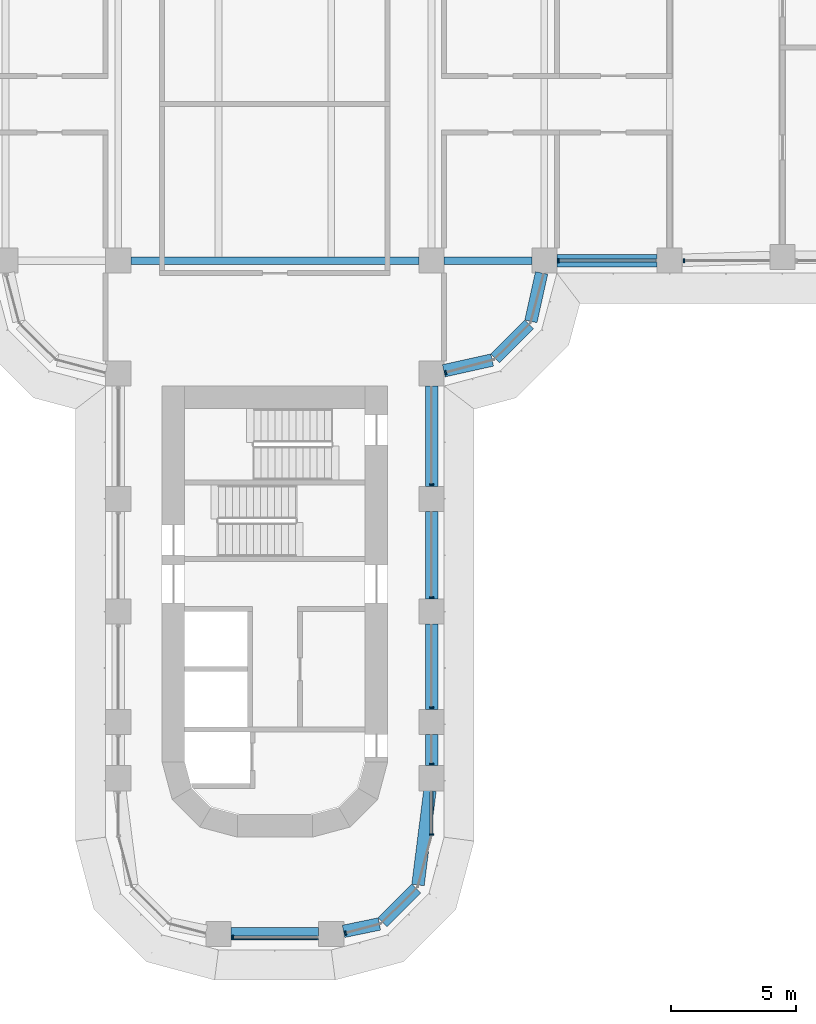
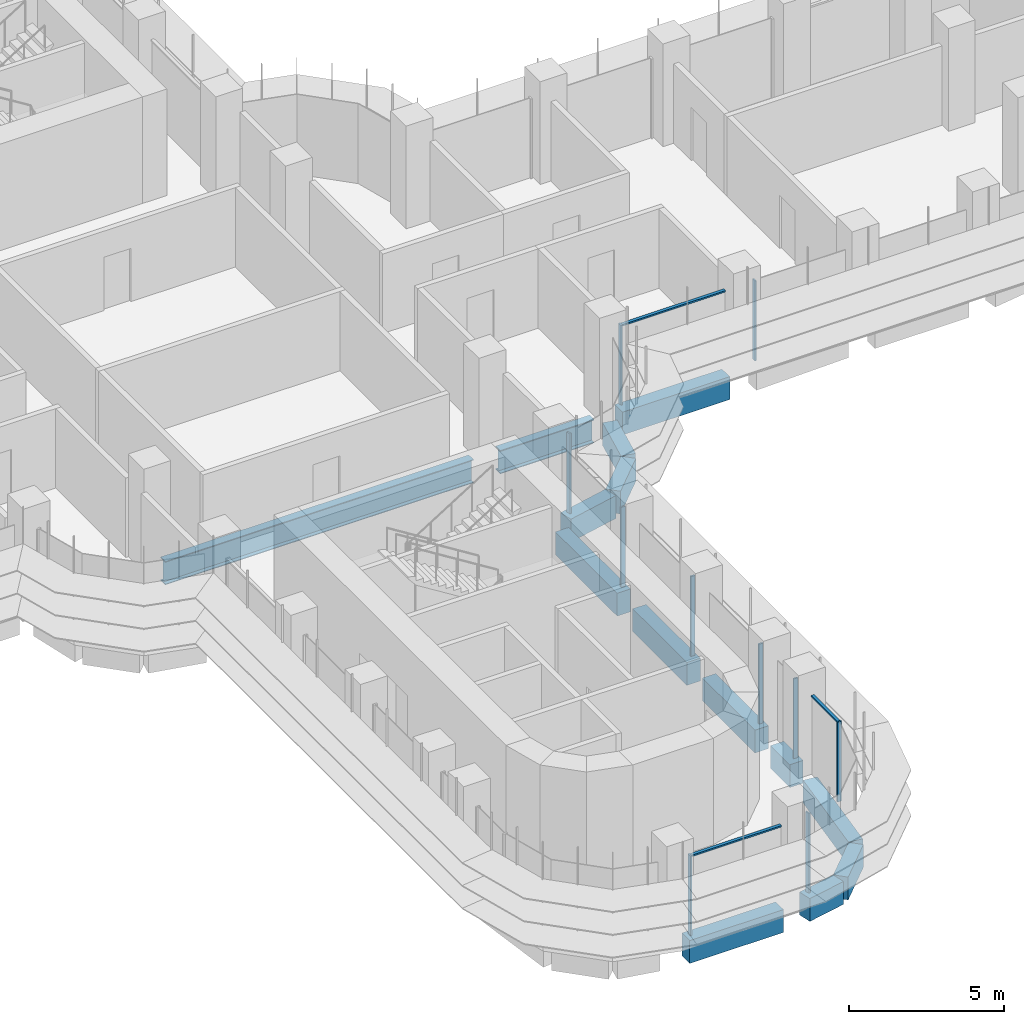
# One storey, part 4 of 23: 14 beams, 13 members, 5 elements without a shape of their own.
"""IFC4 building model written with IfcOpenShell, lengths in metres."""

import ifcopenshell
import ifcopenshell.guid

model = None  # the IFC model being written
_history = None  # IfcOwnerHistory: only IFC2X3 demands one
_inside = {}  # id of a spatial element -> (the spatial element, [elements in it])
_under = {}  # id of a project, library or spatial element -> (it, [spatial elements below it])
_declared = {}  # id of a project -> (the project, [libraries it declares])
_typed = {}  # id of a type object -> (the type object, [elements of that type])
_made_of = {}  # id of a material, layer set ... -> (it, [elements and type objects made of it])


def new_model(schema):
    """Start an empty IFC model of exactly this schema.

    Asked for "IFC4X3", IfcOpenShell would pick the latest addendum, in which some entities
    have other attributes; the version numbers below select the first issue.
    IFC2X3 requires an IfcOwnerHistory on every rooted entity: one is made here for all.
    """
    global model, _history
    if schema == "IFC4X3":
        model = ifcopenshell.file(schema_version=(4, 3, 0, 0))
    else:
        model = ifcopenshell.file(schema=schema)
    _inside.clear()
    _under.clear()
    _declared.clear()
    _typed.clear()
    _made_of.clear()
    _history = None
    if model.schema == "IFC2X3":
        org = make("IfcOrganization", Name="unknown")
        user = make(
            "IfcPersonAndOrganization",
            ThePerson=make("IfcPerson", FamilyName="unknown"),
            TheOrganization=org,
        )
        app = make(
            "IfcApplication",
            ApplicationDeveloper=org,
            Version="unknown",
            ApplicationFullName="unknown",
            ApplicationIdentifier="unknown",
        )
        _history = make(
            "IfcOwnerHistory",
            OwningUser=user,
            OwningApplication=app,
            ChangeAction="ADDED",
            CreationDate=0,
        )
    return model


def make(cls, **values):
    """One entity of the class cls with the attributes given. An attribute that is None is left unset."""
    return model.create_entity(
        cls, **{name: value for name, value in values.items() if value is not None}
    )


def rooted(cls, **values):
    """An entity with a GlobalId (a new one), such as an element, a storey or a relation."""
    return make(cls, GlobalId=ifcopenshell.guid.new(), OwnerHistory=_history, **values)


def si_unit(unit_type, name, prefix=None):
    """IfcSIUnit, for example si_unit("LENGTHUNIT", "METRE", prefix="MILLI")."""
    return make("IfcSIUnit", UnitType=unit_type, Prefix=prefix, Name=name)


def assignment(units):
    """IfcUnitAssignment: the units of a project."""
    return None if units is None else make("IfcUnitAssignment", Units=units)


def point(xyz):
    """IfcCartesianPoint."""
    return None if xyz is None else make("IfcCartesianPoint", Coordinates=xyz)


def direction(xyz):
    """IfcDirection."""
    return None if xyz is None else make("IfcDirection", DirectionRatios=xyz)


def frame(location, z_axis=None, x_axis=None):
    """IfcAxis2Placement3D, a coordinate frame: its origin and axes. An axis left out is left unset."""
    return make(
        "IfcAxis2Placement3D",
        Location=point(location),
        Axis=direction(z_axis),
        RefDirection=direction(x_axis),
    )


def frame_2d(location, x_axis=None):
    """IfcAxis2Placement2D, a coordinate frame in the plane: its origin and x axis."""
    return make(
        "IfcAxis2Placement2D", Location=point(location), RefDirection=direction(x_axis)
    )


def origin():
    """The frame at (0, 0, 0) with its axes left unset."""
    return frame((0.0, 0.0, 0.0))


def origin_2d():
    """The frame at (0, 0) in the plane with its x axis left unset."""
    return frame_2d((0.0, 0.0))


def place(relative_to, where):
    """IfcLocalPlacement: puts the frame where relative to a parent placement (None: the world)."""
    return make(
        "IfcLocalPlacement", PlacementRelTo=relative_to, RelativePlacement=where
    )


def context(
    kind, dimensions, precision=None, world=None, true_north=None, identifier=None
):
    """IfcGeometricRepresentationContext, for example the 3D "Model" context."""
    return make(
        "IfcGeometricRepresentationContext",
        ContextIdentifier=identifier,
        ContextType=kind,
        CoordinateSpaceDimension=dimensions,
        Precision=precision,
        WorldCoordinateSystem=world,
        TrueNorth=true_north,
    )


def subcontext(parent, identifier, kind, view, scale=None):
    """IfcGeometricRepresentationSubContext, for example "Body" below "Model"."""
    return make(
        "IfcGeometricRepresentationSubContext",
        ContextIdentifier=identifier,
        ContextType=kind,
        ParentContext=parent,
        TargetScale=scale,
        TargetView=view,
    )


def project(units=None, contexts=None):
    """IfcProject with its units and contexts."""
    return rooted(
        "IfcProject",
        Name="project",
        RepresentationContexts=contexts,
        UnitsInContext=assignment(units),
    )


def spatial(cls, under=None, at=None, **own):
    """A site, building, storey or space (cls), placed at a placement, below another one or the project."""
    s = rooted(cls, ObjectPlacement=at, **own)
    if under is not None:
        _under.setdefault(under.id(), (under, []))[1].append(s)
    return s


def polyline(points):
    """IfcPolyline through the points."""
    return make("IfcPolyline", Points=[point(p) for p in points])


def profile(cls, at=None, kind="AREA", **sizes):
    """A parametric profile (cls). Its sizes go by their IFC names, for example OverallWidth=200.0."""
    return make(cls, ProfileType=kind, Position=at, **sizes)


def rectangle(**sizes):
    """IfcRectangleProfileDef."""
    return profile("IfcRectangleProfileDef", **sizes)


def i_section(**sizes):
    """IfcIShapeProfileDef."""
    return profile("IfcIShapeProfileDef", **sizes)


def outline(outer, holes=None, kind="AREA"):
    """IfcArbitraryClosedProfileDef: a profile drawn as a closed curve; with holes, ...WithVoids."""
    if holes is None:
        return make("IfcArbitraryClosedProfileDef", ProfileType=kind, OuterCurve=outer)
    return make(
        "IfcArbitraryProfileDefWithVoids",
        ProfileType=kind,
        OuterCurve=outer,
        InnerCurves=holes,
    )


def extrude(swept, where, along, depth):
    """IfcExtrudedAreaSolid: the profile swept, set in the frame where, extruded along a direction by depth."""
    return make(
        "IfcExtrudedAreaSolid",
        SweptArea=swept,
        Position=where,
        ExtrudedDirection=direction(along),
        Depth=depth,
    )


def shape(context_of_items, identifier, shape_type, items):
    """IfcShapeRepresentation: the items that make up one representation, for example the "Body"."""
    return make(
        "IfcShapeRepresentation",
        ContextOfItems=context_of_items,
        RepresentationIdentifier=identifier,
        RepresentationType=shape_type,
        Items=items,
    )


def source(mapping_origin, context_of_items, identifier, shape_type, items):
    """IfcRepresentationMap: a shape defined once, which mapped items show again and again."""
    return make(
        "IfcRepresentationMap",
        MappingOrigin=mapping_origin,
        MappedRepresentation=shape(context_of_items, identifier, shape_type, items),
    )


def transform(
    local_origin,
    x_axis=None,
    y_axis=None,
    z_axis=None,
    scale=None,
    scale2=None,
    scale3=None,
    uniform=True,
):
    """IfcCartesianTransformationOperator3D, or its non-uniform kind. x_axis, y_axis, z_axis: its Axis1, 2, 3."""
    if uniform:
        return make(
            "IfcCartesianTransformationOperator3D",
            Axis1=direction(x_axis),
            Axis2=direction(y_axis),
            LocalOrigin=point(local_origin),
            Scale=scale,
            Axis3=direction(z_axis),
        )
    return make(
        "IfcCartesianTransformationOperator3DnonUniform",
        Axis1=direction(x_axis),
        Axis2=direction(y_axis),
        LocalOrigin=point(local_origin),
        Scale=scale,
        Axis3=direction(z_axis),
        Scale2=scale2,
        Scale3=scale3,
    )


def mapped(mapping_source, mapping_target):
    """IfcMappedItem: shows the shape of a source again, moved by a transform."""
    return make(
        "IfcMappedItem", MappingSource=mapping_source, MappingTarget=mapping_target
    )


def material(Name=None, Category=None):
    """IfcMaterial."""
    return make("IfcMaterial", Name=Name, Category=Category)


def material_profile(
    of_material, cross_section, Name=None, Category=None, Priority=None
):
    """IfcMaterialProfile: a cross section and its material."""
    return make(
        "IfcMaterialProfile",
        Name=Name,
        Material=of_material,
        Profile=cross_section,
        Priority=Priority,
        Category=Category,
    )


def profile_set(profiles, Name=None, composite=None):
    """IfcMaterialProfileSet."""
    return make(
        "IfcMaterialProfileSet",
        Name=Name,
        MaterialProfiles=profiles,
        CompositeProfile=composite,
    )


def made_of(thing, what):
    """Note that an element or type object is made of a material, layer set ...; save() writes the relation."""
    if what is not None:
        _made_of.setdefault(what.id(), (what, []))[1].append(thing)
    return thing


def type_object(cls, material=None, **own):
    """A type object (cls), such as IfcWallType, which elements share."""
    return made_of(rooted(cls, **own), material)


def element(
    cls,
    number,
    at=None,
    inside=None,
    cuts=None,
    type_object=None,
    material=None,
    context=None,
    identifier="Body",
    shape_type=None,
    held_by="IfcProductDefinitionShape",
    body=None,
    shapes=None,
    **own,
):
    """One element of the class cls, such as IfcWall. Its Tag is "e" and its number.

    at: its placement. inside: the storey or other place that contains it. cuts: it is an
    opening in that element (IfcRelVoidsElement). A single representation is given by context,
    identifier, shape_type and body (its items); several are given by shapes. held_by: the class
    of the entity that holds the representations. save() writes the other relations.
    """
    e = rooted(cls, Tag="e%d" % number, ObjectPlacement=at, **own)
    if body is not None:
        shapes = [shape(context, identifier, shape_type, body)]
    if shapes is not None:
        e.Representation = make(held_by, Representations=shapes)
    if inside is not None:
        _inside.setdefault(inside.id(), (inside, []))[1].append(e)
    if cuts is not None:
        rooted(
            "IfcRelVoidsElement", RelatingBuildingElement=cuts, RelatedOpeningElement=e
        )
    if type_object is not None:
        _typed.setdefault(type_object.id(), (type_object, []))[1].append(e)
    return made_of(e, material)


def aggregate(whole, parts):
    """IfcRelAggregates: a whole, such as a stair, and the parts it consists of."""
    return rooted("IfcRelAggregates", RelatingObject=whole, RelatedObjects=parts)


def save(model, path):
    """Write the relations noted so far, then the file.

    IfcRelAggregates (storeys below a building ...), IfcRelContainedInSpatialStructure (elements
    in a storey), IfcRelDefinesByType, IfcRelAssociatesMaterial and IfcRelDeclares: one each for
    every whole, place, type object, material and project.
    """
    for whole, parts in _under.values():
        aggregate(whole, parts)
    for where, things in _inside.values():
        rooted(
            "IfcRelContainedInSpatialStructure",
            RelatedElements=things,
            RelatingStructure=where,
        )
    for kind, things in _typed.values():
        rooted("IfcRelDefinesByType", RelatedObjects=things, RelatingType=kind)
    for what, things in _made_of.values():
        rooted("IfcRelAssociatesMaterial", RelatedObjects=things, RelatingMaterial=what)
    for by, libraries in _declared.values():
        rooted("IfcRelDeclares", RelatingContext=by, RelatedDefinitions=libraries)
    model.write(path)


model = new_model("IFC4")

# Units and contexts
model_context = context("Model", 3, precision=1e-05, world=origin(), true_north=direction((0.0, 1.0)))
body_context = subcontext(model_context, "Body", "Model", "MODEL_VIEW")
ifc_project = project(units=[si_unit("LENGTHUNIT", "METRE"), si_unit("AREAUNIT", "SQUARE_METRE"), si_unit("VOLUMEUNIT", "CUBIC_METRE"), si_unit("PLANEANGLEUNIT", "RADIAN"), si_unit("MASSUNIT", "GRAM", prefix="KILO")], contexts=[model_context])

# Site, building, storey
site_placement = place(None, origin())
site = spatial("IfcSite", under=ifc_project, at=site_placement, CompositionType="ELEMENT")
building_placement = place(site_placement, origin())
building = spatial("IfcBuilding", under=site, at=building_placement, Name="Zarbagh Exchange Tower", CompositionType="ELEMENT")
storey_placement = place(building_placement, frame((0.0, 0.0, 52.199951171875)))
storey = spatial("IfcBuildingStorey", under=building, at=storey_placement, Name="L11", CompositionType="ELEMENT", Elevation=52.199951171875)

# Beams
ifc_material_1 = material(Name="Steel ASTM A992 Gr 50", Category="steel")
ifc_material_profile_1 = material_profile(ifc_material_1, i_section(OverallWidth=0.3046875, OverallDepth=0.91943359375, WebThickness=0.017333984375, FlangeThickness=0.02783203125, at=origin_2d()), Name="W36X170")
ifc_profile_set_1 = profile_set([ifc_material_profile_1], Name="Steel ASTM A992 Gr 50")
beam_type_1 = type_object("IfcBeamType", Name="Floor girder W36X170", PredefinedType="BEAM", material=ifc_profile_set_1)
beam_1_placement = place(storey_placement, frame((-5.75, -6.25, -0.609619140625), z_axis=(1.0, 0.0, 0.0), x_axis=(0.0, 1.0, 0.0)))
element("IfcBeam", 1, at=beam_1_placement, inside=storey, type_object=beam_type_1, Name="Steel girder", PredefinedType="BEAM", context=body_context, shape_type="SweptSolid", body=[
    extrude(i_section(OverallWidth=0.3046875, OverallDepth=0.91943359375, WebThickness=0.017333984375, FlangeThickness=0.02783203125, at=origin_2d()), origin(), (0.0, 0.0, 1.0), 11.5),
])
beam_2_placement = place(storey_placement, frame((6.75, -6.25, -0.609619140625), z_axis=(1.0, 0.0, 0.0), x_axis=(0.0, 1.0, 0.0)))
element("IfcBeam", 2, at=beam_2_placement, inside=storey, type_object=beam_type_1, Name="Steel girder", PredefinedType="BEAM", context=body_context, shape_type="SweptSolid", body=[
    extrude(i_section(OverallWidth=0.3046875, OverallDepth=0.91943359375, WebThickness=0.017333984375, FlangeThickness=0.02783203125, at=origin_2d()), origin(), (0.0, 0.0, 1.0), 3.5),
])
ifc_material_2 = material(Name="Concrete C60/75", Category="concrete")
ifc_material_profile_2 = material_profile(ifc_material_2, rectangle(XDim=0.5, YDim=0.89990234375, at=origin_2d()), Name="RC spandrel beam 500 x 900 C60/75")
ifc_profile_set_2 = profile_set([ifc_material_profile_2], Name="Concrete C60/75")
beam_type_2 = type_object("IfcBeamType", Name="RC spandrel beam 500 x 900 C60/75", PredefinedType="SPANDREL", material=ifc_profile_set_2)
beam_3_placement = place(storey_placement, frame((15.25, -6.25, -0.599853515625), z_axis=(-1.0, 0.0, 0.0), x_axis=(0.0, -1.0, 0.0)))
element("IfcBeam", 3, at=beam_3_placement, inside=storey, type_object=beam_type_2, Name="RC spandrel beam", PredefinedType="SPANDREL", context=body_context, shape_type="SweptSolid", body=[
    extrude(rectangle(XDim=0.5, YDim=0.89990234375, at=origin_2d()), origin(), (0.0, 0.0, 1.0), 4.0),
])
beam_4_placement = place(storey_placement, frame((10.64208984375, -6.73828125, -0.599853515625), z_axis=(-0.216081063242, -0.976375426825, 0.0), x_axis=(0.976375426825, -0.216081063242, 0.0)))
element("IfcBeam", 4, at=beam_4_placement, inside=storey, type_object=beam_type_2, Name="RC spandrel beam", PredefinedType="SPANDREL", context=body_context, shape_type="SweptSolid", body=[
    extrude(rectangle(XDim=0.5, YDim=0.89990234375, at=origin_2d()), origin(), (0.0, 0.0, 1.0), 1.978271484375),
])
beam_5_placement = place(storey_placement, frame((10.147216796875, -8.792724609375, -0.599853515625), z_axis=(-0.707106781187, -0.707106781187, 0.0), x_axis=(0.707106781187, -0.707106781187, 0.0)))
element("IfcBeam", 5, at=beam_5_placement, inside=storey, type_object=beam_type_2, Name="RC spandrel beam", PredefinedType="SPANDREL", context=body_context, shape_type="SweptSolid", body=[
    extrude(rectangle(XDim=0.5, YDim=0.89990234375, at=origin_2d()), origin(), (0.0, 0.0, 1.0), 1.91552734375),
])
beam_6_placement = place(storey_placement, frame((8.669921875, -10.214599609375, -0.599853515625), z_axis=(-0.976375426825, -0.216081063242, 0.0), x_axis=(0.216081063242, -0.976375426825, 0.0)))
element("IfcBeam", 6, at=beam_6_placement, inside=storey, type_object=beam_type_2, Name="RC spandrel beam", PredefinedType="SPANDREL", context=body_context, shape_type="SweptSolid", body=[
    extrude(rectangle(XDim=0.5, YDim=0.89990234375, at=origin_2d()), origin(), (0.0, 0.0, 1.0), 1.978271484375),
])
beam_7_placement = place(storey_placement, frame((6.25, -11.25, -0.599853515625), z_axis=(0.0, -1.0, 0.0), x_axis=(1.0, 0.0, 0.0)))
element("IfcBeam", 7, at=beam_7_placement, inside=storey, type_object=beam_type_2, Name="RC spandrel beam", PredefinedType="SPANDREL", context=body_context, shape_type="SweptSolid", body=[
    extrude(rectangle(XDim=0.5, YDim=0.89990234375, at=origin_2d()), origin(), (0.0, 0.0, 1.0), 4.0),
])
beam_8_placement = place(storey_placement, frame((6.25, -16.25, -0.599853515625), z_axis=(0.0, -1.0, 0.0), x_axis=(1.0, 0.0, 0.0)))
element("IfcBeam", 8, at=beam_8_placement, inside=storey, type_object=beam_type_2, Name="RC spandrel beam", PredefinedType="SPANDREL", context=body_context, shape_type="SweptSolid", body=[
    extrude(rectangle(XDim=0.5, YDim=0.89990234375, at=origin_2d()), origin(), (0.0, 0.0, 1.0), 3.5),
])
beam_9_placement = place(storey_placement, frame((6.25, -20.75, -0.599853515625), z_axis=(0.0, -1.0, 0.0), x_axis=(1.0, 0.0, 0.0)))
element("IfcBeam", 9, at=beam_9_placement, inside=storey, type_object=beam_type_2, Name="RC spandrel beam", PredefinedType="SPANDREL", context=body_context, shape_type="SweptSolid", body=[
    extrude(rectangle(XDim=0.5, YDim=0.89990234375, at=origin_2d()), origin(), (0.0, 0.0, 1.0), 3.39990234375),
])
beam_10_placement = place(storey_placement, frame((6.25, -25.14990234375, -0.599853515625), z_axis=(0.0, -1.0, 0.0), x_axis=(1.0, 0.0, 0.0)))
element("IfcBeam", 10, at=beam_10_placement, inside=storey, type_object=beam_type_2, Name="RC spandrel beam", PredefinedType="SPANDREL", context=body_context, shape_type="SweptSolid", body=[
    extrude(rectangle(XDim=0.5, YDim=0.89990234375, at=origin_2d()), origin(), (0.0, 0.0, 1.0), 1.25),
])
beam_11_placement = place(storey_placement, frame((6.18701171875, -27.39599609375, -0.599853515625), z_axis=(-0.12591317752, -0.992041265133, 0.0), x_axis=(0.992041265133, -0.12591317752, 0.0)))
element("IfcBeam", 11, at=beam_11_placement, inside=storey, type_object=beam_type_2, Name="RC spandrel beam", PredefinedType="SPANDREL", context=body_context, shape_type="SweptSolid", body=[
    extrude(rectangle(XDim=0.5, YDim=0.89990234375, at=origin_2d()), origin(), (0.0, 0.0, 1.0), 3.790771484375),
])
beam_12_placement = place(storey_placement, frame((5.638427734375, -31.301513671875, -0.599853515625), z_axis=(-0.707042571718, -0.707170984825, 0.0), x_axis=(0.707170984825, -0.707042571718, 0.0)))
element("IfcBeam", 12, at=beam_12_placement, inside=storey, type_object=beam_type_2, Name="RC spandrel beam", PredefinedType="SPANDREL", context=body_context, shape_type="SweptSolid", body=[
    extrude(rectangle(XDim=0.5, YDim=0.89990234375, at=origin_2d()), origin(), (0.0, 0.0, 1.0), 1.901123046875),
])
beam_13_placement = place(storey_placement, frame((4.16796875, -32.714111328125, -0.599853515625), z_axis=(-0.9793713725, -0.202068589164, 0.0), x_axis=(0.202068589164, -0.9793713725, 0.0)))
element("IfcBeam", 13, at=beam_13_placement, inside=storey, type_object=beam_type_2, Name="RC spandrel beam", PredefinedType="SPANDREL", context=body_context, shape_type="SweptSolid", body=[
    extrude(rectangle(XDim=0.5, YDim=0.89990234375, at=origin_2d()), origin(), (0.0, 0.0, 1.0), 1.458251953125),
])
beam_14_placement = place(storey_placement, frame((1.75, -33.110107421875, -0.599853515625), z_axis=(-1.0, 0.0, 0.0), x_axis=(0.0, -1.0, 0.0)))
element("IfcBeam", 14, at=beam_14_placement, inside=storey, type_object=beam_type_2, Name="RC spandrel beam", PredefinedType="SPANDREL", context=body_context, shape_type="SweptSolid", body=[
    extrude(rectangle(XDim=0.5, YDim=0.89990234375, at=origin_2d()), origin(), (0.0, 0.0, 1.0), 3.5),
])

# Curtain wall, member
ifc_material_3 = material(Name="Anodised aluminium frame and glazing", Category="aluminium")
curtain_wall_type = type_object("IfcCurtainWallType", Name="CWA Ribbon glazing, lower zones", PredefinedType="NOTDEFINED", material=ifc_material_3)
curtain_wall_1_placement = place(storey_placement, origin())
curtain_wall_1 = element("IfcCurtainWall", 15, at=curtain_wall_1_placement, inside=storey, type_object=curtain_wall_type, Name="CWA01 curtain wall", PredefinedType="NOTDEFINED")
ifc_material_4 = material(Name="Anodised aluminium frame", Category="aluminium")
member_type_1 = type_object("IfcMemberType", Name="MUA Mullion, anodised aluminium frame", PredefinedType="MULLION", material=ifc_material_4)
shared_shape_1 = source(origin(), body_context, "Body", "SweptSolid", [
    extrude(outline(polyline([(0.0, -0.080078125), (0.06005859375, -0.080078125), (0.06005859375, 0.080078125), (0.0, 0.080078125), (0.0, -0.080078125)])), origin(), (0.0, 0.0, 1.0), 3.14990234375),
])
placement = place(storey_placement, origin())
member_1 = element("IfcMember", 16, at=placement, type_object=member_type_1, Name="CWA01 mullion 1.1", PredefinedType="MULLION", context=body_context, shape_type="MappedRepresentation", body=[
    mapped(shared_shape_1, transform((2.7900390625, -33.087646484375, 0.0), x_axis=(0.965924289636, 0.258824779902, 0.0), y_axis=(-0.258824779902, 0.965924289636, 0.0), z_axis=(0.0, 0.0, 1.0))),
])
aggregate(curtain_wall_1, [member_1])

# Curtain wall, members
curtain_wall_2_placement = place(storey_placement, origin())
curtain_wall_2 = element("IfcCurtainWall", 17, at=curtain_wall_2_placement, inside=storey, type_object=curtain_wall_type, Name="CWA04 curtain wall", PredefinedType="NOTDEFINED")
member_2 = element("IfcMember", 18, at=placement, type_object=member_type_1, Name="CWA04 mullion 1.1", PredefinedType="MULLION", context=body_context, shape_type="MappedRepresentation", body=[
    mapped(shared_shape_1, transform((6.25, -29.18408203125, 0.0), x_axis=(0.0, 1.0, 0.0), y_axis=(-1.0, 0.0, 0.0), z_axis=(0.0, 0.0, 1.0))),
])
member_3 = element("IfcMember", 19, at=placement, type_object=member_type_1, Name="CWA04 mullion 2.1", PredefinedType="MULLION", context=body_context, shape_type="MappedRepresentation", body=[
    mapped(shared_shape_1, transform((6.25, -26.35986328125, 0.0), x_axis=(0.0, 1.0, 0.0), y_axis=(-1.0, 0.0, 0.0), z_axis=(0.0, 0.0, 1.0))),
])
member_4 = element("IfcMember", 20, at=placement, type_object=member_type_1, Name="CWA04 mullion 3.1", PredefinedType="MULLION", context=body_context, shape_type="MappedRepresentation", body=[
    mapped(shared_shape_1, transform((6.25, -24.10986328125, 0.0), x_axis=(0.0, 1.0, 0.0), y_axis=(-1.0, 0.0, 0.0), z_axis=(0.0, 0.0, 1.0))),
])
member_5 = element("IfcMember", 21, at=placement, type_object=member_type_1, Name="CWA04 mullion 4.1", PredefinedType="MULLION", context=body_context, shape_type="MappedRepresentation", body=[
    mapped(shared_shape_1, transform((6.25, -19.7099609375, 0.0), x_axis=(0.0, 1.0, 0.0), y_axis=(-1.0, 0.0, 0.0), z_axis=(0.0, 0.0, 1.0))),
])
member_6 = element("IfcMember", 22, at=placement, type_object=member_type_1, Name="CWA04 mullion 5.1", PredefinedType="MULLION", context=body_context, shape_type="MappedRepresentation", body=[
    mapped(shared_shape_1, transform((6.25, -15.2099609375, 0.0), x_axis=(0.0, 1.0, 0.0), y_axis=(-1.0, 0.0, 0.0), z_axis=(0.0, 0.0, 1.0))),
])

# Curtain wall, member
curtain_wall_3_placement = place(storey_placement, origin())
curtain_wall_3 = element("IfcCurtainWall", 23, at=curtain_wall_3_placement, inside=storey, type_object=curtain_wall_type, Name="CWA05 curtain wall", PredefinedType="NOTDEFINED")
member_7 = element("IfcMember", 24, at=placement, type_object=member_type_1, Name="CWA05 mullion 1.1", PredefinedType="MULLION", context=body_context, shape_type="MappedRepresentation", body=[
    mapped(shared_shape_1, transform((6.7900390625, -10.7216796875, 0.0), x_axis=(0.965924289636, 0.258824779902, 0.0), y_axis=(-0.258824779902, 0.965924289636, 0.0), z_axis=(0.0, 0.0, 1.0))),
])
aggregate(curtain_wall_3, [member_7])

# Curtain wall, members
curtain_wall_4_placement = place(storey_placement, origin())
curtain_wall_4 = element("IfcCurtainWall", 25, at=curtain_wall_4_placement, inside=storey, type_object=curtain_wall_type, Name="CWA08 curtain wall", PredefinedType="NOTDEFINED")
member_8 = element("IfcMember", 26, at=placement, type_object=member_type_1, Name="CWA08 mullion 1.1", PredefinedType="MULLION", context=body_context, shape_type="MappedRepresentation", body=[
    mapped(shared_shape_1, transform((11.2900390625, -6.25, 0.0), x_axis=(1.0, 0.0, 0.0), y_axis=(0.0, 1.0, 0.0), z_axis=(0.0, 0.0, 1.0))),
])
member_9 = element("IfcMember", 27, at=placement, type_object=member_type_1, Name="CWA08 mullion 2.1", PredefinedType="MULLION", context=body_context, shape_type="MappedRepresentation", body=[
    mapped(shared_shape_1, transform((16.2900390625, -6.25, 0.0), x_axis=(1.0, 0.0, 0.0), y_axis=(0.0, 1.0, 0.0), z_axis=(0.0, 0.0, 1.0))),
])

# Curtain wall, member
curtain_wall_5_placement = place(storey_placement, origin())
curtain_wall_5 = element("IfcCurtainWall", 28, at=curtain_wall_5_placement, inside=storey, type_object=curtain_wall_type, Name="CWA48 curtain wall", PredefinedType="NOTDEFINED")
member_10 = element("IfcMember", 29, at=placement, type_object=member_type_1, Name="CWA48 mullion 1.1", PredefinedType="MULLION", context=body_context, shape_type="MappedRepresentation", body=[
    mapped(shared_shape_1, transform((-1.7099609375, -33.25, 0.0), x_axis=(1.0, 0.0, 0.0), y_axis=(0.0, 1.0, 0.0), z_axis=(0.0, 0.0, 1.0))),
])

# Member
member_type_2 = type_object("IfcMemberType", Name="TRA Transom, anodised aluminium frame", PredefinedType="USERDEFINED", material=ifc_material_4)
shared_shape_2 = source(origin(), body_context, "Body", "SweptSolid", [
    extrude(outline(polyline([(-0.06005859375, -0.06005859375), (0.0, -0.06005859375), (0.0, 0.06005859375), (-0.06005859375, 0.06005859375), (-0.06005859375, -0.06005859375)])), origin(), (0.0, 0.0, 1.0), 1.68408203125),
])
member_11 = element("IfcMember", 30, at=placement, type_object=member_type_2, Name="CWA04 transom 1.1", ObjectType="TRANSOM", PredefinedType="USERDEFINED", context=body_context, shape_type="MappedRepresentation", body=[
    mapped(shared_shape_2, transform((6.25, -29.124267578125, 3.150146484375), x_axis=(0.0, 0.0, 1.0), y_axis=(1.0, 0.0, 0.0), z_axis=(0.0, 1.0, 0.0))),
])

aggregate(curtain_wall_2, [member_2, member_11, member_3, member_4, member_5, member_6])

shared_shape_3 = source(origin(), body_context, "Body", "SweptSolid", [
    extrude(outline(polyline([(-0.06005859375, -0.06005859375), (0.0, -0.06005859375), (0.0, 0.06005859375), (-0.06005859375, 0.06005859375), (-0.06005859375, -0.06005859375)])), origin(), (0.0, 0.0, 1.0), 3.860107421875),
])
member_12 = element("IfcMember", 31, at=placement, type_object=member_type_2, Name="CWA08 transom 1.1", ObjectType="TRANSOM", PredefinedType="USERDEFINED", context=body_context, shape_type="MappedRepresentation", body=[
    mapped(shared_shape_3, transform((11.35009765625, -6.25, 3.150146484375), x_axis=(0.0, 0.0, 1.0), y_axis=(0.0, -1.0, 0.0), z_axis=(1.0, 0.0, 0.0))),
])

aggregate(curtain_wall_4, [member_8, member_12, member_9])

shared_shape_4 = source(origin(), body_context, "Body", "SweptSolid", [
    extrude(outline(polyline([(-0.06005859375, -0.06005859375), (0.0, -0.06005859375), (0.0, 0.06005859375), (-0.06005859375, 0.06005859375), (-0.06005859375, -0.06005859375)])), origin(), (0.0, 0.0, 1.0), 3.360107421875),
])
member_13 = element("IfcMember", 32, at=placement, type_object=member_type_2, Name="CWA48 transom 1.1", ObjectType="TRANSOM", PredefinedType="USERDEFINED", context=body_context, shape_type="MappedRepresentation", body=[
    mapped(shared_shape_4, transform((-1.64990234375, -33.25, 3.150146484375), x_axis=(0.0, 0.0, 1.0), y_axis=(0.0, -1.0, 0.0), z_axis=(1.0, 0.0, 0.0))),
])

aggregate(curtain_wall_5, [member_10, member_13])

save(model, "model.ifc")
